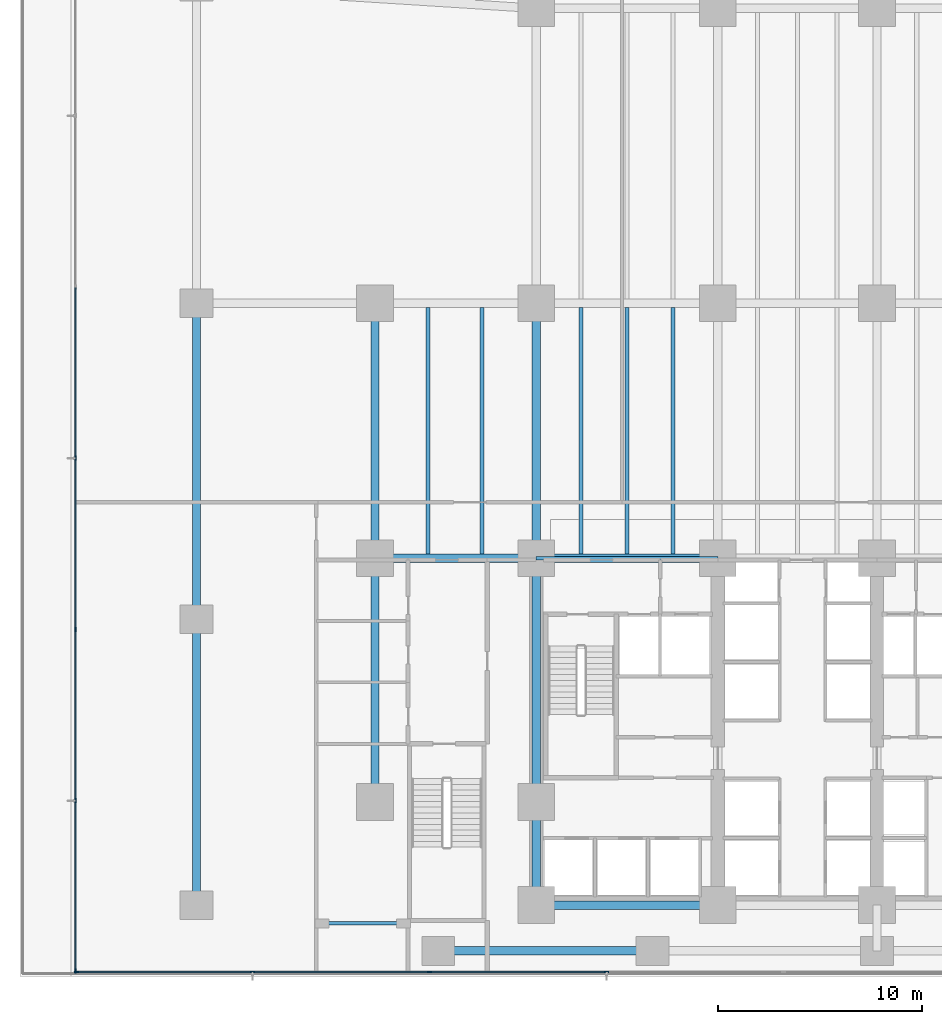
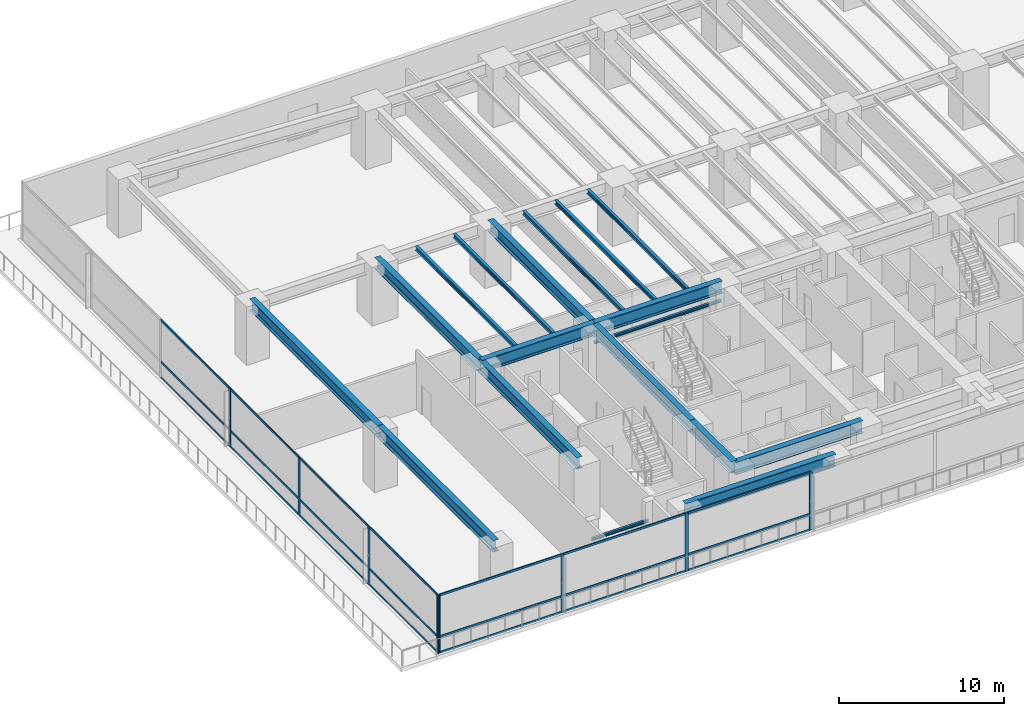
# One storey, part 2 of 27: 29 members, 18 beams, 2 elements without a shape of their own.
"""IFC4 building model written with IfcOpenShell, lengths in metres."""

import ifcopenshell
import ifcopenshell.guid

model = None  # the IFC model being written
_history = None  # IfcOwnerHistory: only IFC2X3 demands one
_inside = {}  # id of a spatial element -> (the spatial element, [elements in it])
_under = {}  # id of a project, library or spatial element -> (it, [spatial elements below it])
_declared = {}  # id of a project -> (the project, [libraries it declares])
_typed = {}  # id of a type object -> (the type object, [elements of that type])
_made_of = {}  # id of a material, layer set ... -> (it, [elements and type objects made of it])


def new_model(schema):
    """Start an empty IFC model of exactly this schema.

    Asked for "IFC4X3", IfcOpenShell would pick the latest addendum, in which some entities
    have other attributes; the version numbers below select the first issue.
    IFC2X3 requires an IfcOwnerHistory on every rooted entity: one is made here for all.
    """
    global model, _history
    if schema == "IFC4X3":
        model = ifcopenshell.file(schema_version=(4, 3, 0, 0))
    else:
        model = ifcopenshell.file(schema=schema)
    _inside.clear()
    _under.clear()
    _declared.clear()
    _typed.clear()
    _made_of.clear()
    _history = None
    if model.schema == "IFC2X3":
        org = make("IfcOrganization", Name="unknown")
        user = make(
            "IfcPersonAndOrganization",
            ThePerson=make("IfcPerson", FamilyName="unknown"),
            TheOrganization=org,
        )
        app = make(
            "IfcApplication",
            ApplicationDeveloper=org,
            Version="unknown",
            ApplicationFullName="unknown",
            ApplicationIdentifier="unknown",
        )
        _history = make(
            "IfcOwnerHistory",
            OwningUser=user,
            OwningApplication=app,
            ChangeAction="ADDED",
            CreationDate=0,
        )
    return model


def make(cls, **values):
    """One entity of the class cls with the attributes given. An attribute that is None is left unset."""
    return model.create_entity(
        cls, **{name: value for name, value in values.items() if value is not None}
    )


def rooted(cls, **values):
    """An entity with a GlobalId (a new one), such as an element, a storey or a relation."""
    return make(cls, GlobalId=ifcopenshell.guid.new(), OwnerHistory=_history, **values)


def si_unit(unit_type, name, prefix=None):
    """IfcSIUnit, for example si_unit("LENGTHUNIT", "METRE", prefix="MILLI")."""
    return make("IfcSIUnit", UnitType=unit_type, Prefix=prefix, Name=name)


def assignment(units):
    """IfcUnitAssignment: the units of a project."""
    return None if units is None else make("IfcUnitAssignment", Units=units)


def point(xyz):
    """IfcCartesianPoint."""
    return None if xyz is None else make("IfcCartesianPoint", Coordinates=xyz)


def direction(xyz):
    """IfcDirection."""
    return None if xyz is None else make("IfcDirection", DirectionRatios=xyz)


def frame(location, z_axis=None, x_axis=None):
    """IfcAxis2Placement3D, a coordinate frame: its origin and axes. An axis left out is left unset."""
    return make(
        "IfcAxis2Placement3D",
        Location=point(location),
        Axis=direction(z_axis),
        RefDirection=direction(x_axis),
    )


def frame_2d(location, x_axis=None):
    """IfcAxis2Placement2D, a coordinate frame in the plane: its origin and x axis."""
    return make(
        "IfcAxis2Placement2D", Location=point(location), RefDirection=direction(x_axis)
    )


def origin():
    """The frame at (0, 0, 0) with its axes left unset."""
    return frame((0.0, 0.0, 0.0))


def origin_2d():
    """The frame at (0, 0) in the plane with its x axis left unset."""
    return frame_2d((0.0, 0.0))


def place(relative_to, where):
    """IfcLocalPlacement: puts the frame where relative to a parent placement (None: the world)."""
    return make(
        "IfcLocalPlacement", PlacementRelTo=relative_to, RelativePlacement=where
    )


def context(
    kind, dimensions, precision=None, world=None, true_north=None, identifier=None
):
    """IfcGeometricRepresentationContext, for example the 3D "Model" context."""
    return make(
        "IfcGeometricRepresentationContext",
        ContextIdentifier=identifier,
        ContextType=kind,
        CoordinateSpaceDimension=dimensions,
        Precision=precision,
        WorldCoordinateSystem=world,
        TrueNorth=true_north,
    )


def subcontext(parent, identifier, kind, view, scale=None):
    """IfcGeometricRepresentationSubContext, for example "Body" below "Model"."""
    return make(
        "IfcGeometricRepresentationSubContext",
        ContextIdentifier=identifier,
        ContextType=kind,
        ParentContext=parent,
        TargetScale=scale,
        TargetView=view,
    )


def project(units=None, contexts=None):
    """IfcProject with its units and contexts."""
    return rooted(
        "IfcProject",
        Name="project",
        RepresentationContexts=contexts,
        UnitsInContext=assignment(units),
    )


def spatial(cls, under=None, at=None, **own):
    """A site, building, storey or space (cls), placed at a placement, below another one or the project."""
    s = rooted(cls, ObjectPlacement=at, **own)
    if under is not None:
        _under.setdefault(under.id(), (under, []))[1].append(s)
    return s


def profile(cls, at=None, kind="AREA", **sizes):
    """A parametric profile (cls). Its sizes go by their IFC names, for example OverallWidth=200.0."""
    return make(cls, ProfileType=kind, Position=at, **sizes)


def rectangle(**sizes):
    """IfcRectangleProfileDef."""
    return profile("IfcRectangleProfileDef", **sizes)


def i_section(**sizes):
    """IfcIShapeProfileDef."""
    return profile("IfcIShapeProfileDef", **sizes)


def extrude(swept, where, along, depth):
    """IfcExtrudedAreaSolid: the profile swept, set in the frame where, extruded along a direction by depth."""
    return make(
        "IfcExtrudedAreaSolid",
        SweptArea=swept,
        Position=where,
        ExtrudedDirection=direction(along),
        Depth=depth,
    )


def shape(context_of_items, identifier, shape_type, items):
    """IfcShapeRepresentation: the items that make up one representation, for example the "Body"."""
    return make(
        "IfcShapeRepresentation",
        ContextOfItems=context_of_items,
        RepresentationIdentifier=identifier,
        RepresentationType=shape_type,
        Items=items,
    )


def material(Name=None, Category=None):
    """IfcMaterial."""
    return make("IfcMaterial", Name=Name, Category=Category)


def layer(
    of_material, thickness, ventilated=None, Name=None, Category=None, Priority=None
):
    """IfcMaterialLayer: one layer of a wall or slab, of a material (None: an air gap)."""
    return make(
        "IfcMaterialLayer",
        Material=of_material,
        LayerThickness=thickness,
        IsVentilated=ventilated,
        Name=Name,
        Category=Category,
        Priority=Priority,
    )


def layer_set(layers, Name=None):
    """IfcMaterialLayerSet."""
    return make("IfcMaterialLayerSet", MaterialLayers=layers, LayerSetName=Name)


def material_profile(
    of_material, cross_section, Name=None, Category=None, Priority=None
):
    """IfcMaterialProfile: a cross section and its material."""
    return make(
        "IfcMaterialProfile",
        Name=Name,
        Material=of_material,
        Profile=cross_section,
        Priority=Priority,
        Category=Category,
    )


def profile_set(profiles, Name=None, composite=None):
    """IfcMaterialProfileSet."""
    return make(
        "IfcMaterialProfileSet",
        Name=Name,
        MaterialProfiles=profiles,
        CompositeProfile=composite,
    )


def made_of(thing, what):
    """Note that an element or type object is made of a material, layer set ...; save() writes the relation."""
    if what is not None:
        _made_of.setdefault(what.id(), (what, []))[1].append(thing)
    return thing


def type_object(cls, material=None, **own):
    """A type object (cls), such as IfcWallType, which elements share."""
    return made_of(rooted(cls, **own), material)


def element(
    cls,
    number,
    at=None,
    inside=None,
    cuts=None,
    type_object=None,
    material=None,
    context=None,
    identifier="Body",
    shape_type=None,
    held_by="IfcProductDefinitionShape",
    body=None,
    shapes=None,
    **own,
):
    """One element of the class cls, such as IfcWall. Its Tag is "e" and its number.

    at: its placement. inside: the storey or other place that contains it. cuts: it is an
    opening in that element (IfcRelVoidsElement). A single representation is given by context,
    identifier, shape_type and body (its items); several are given by shapes. held_by: the class
    of the entity that holds the representations. save() writes the other relations.
    """
    e = rooted(cls, Tag="e%d" % number, ObjectPlacement=at, **own)
    if body is not None:
        shapes = [shape(context, identifier, shape_type, body)]
    if shapes is not None:
        e.Representation = make(held_by, Representations=shapes)
    if inside is not None:
        _inside.setdefault(inside.id(), (inside, []))[1].append(e)
    if cuts is not None:
        rooted(
            "IfcRelVoidsElement", RelatingBuildingElement=cuts, RelatedOpeningElement=e
        )
    if type_object is not None:
        _typed.setdefault(type_object.id(), (type_object, []))[1].append(e)
    return made_of(e, material)


def aggregate(whole, parts):
    """IfcRelAggregates: a whole, such as a stair, and the parts it consists of."""
    return rooted("IfcRelAggregates", RelatingObject=whole, RelatedObjects=parts)


def save(model, path):
    """Write the relations noted so far, then the file.

    IfcRelAggregates (storeys below a building ...), IfcRelContainedInSpatialStructure (elements
    in a storey), IfcRelDefinesByType, IfcRelAssociatesMaterial and IfcRelDeclares: one each for
    every whole, place, type object, material and project.
    """
    for whole, parts in _under.values():
        aggregate(whole, parts)
    for where, things in _inside.values():
        rooted(
            "IfcRelContainedInSpatialStructure",
            RelatedElements=things,
            RelatingStructure=where,
        )
    for kind, things in _typed.values():
        rooted("IfcRelDefinesByType", RelatedObjects=things, RelatingType=kind)
    for what, things in _made_of.values():
        rooted("IfcRelAssociatesMaterial", RelatedObjects=things, RelatingMaterial=what)
    for by, libraries in _declared.values():
        rooted("IfcRelDeclares", RelatingContext=by, RelatedDefinitions=libraries)
    model.write(path)


model = new_model("IFC4")

# Units and contexts
model_context = context("Model", 3, precision=1e-05, world=origin(), true_north=direction((0.0, 1.0)))
body_context = subcontext(model_context, "Body", "Model", "MODEL_VIEW")
ifc_project = project(units=[si_unit("LENGTHUNIT", "METRE"), si_unit("AREAUNIT", "SQUARE_METRE"), si_unit("VOLUMEUNIT", "CUBIC_METRE"), si_unit("PLANEANGLEUNIT", "RADIAN"), si_unit("MASSUNIT", "GRAM", prefix="KILO")], contexts=[model_context])

# Site, building, storey
site_placement = place(None, origin())
site = spatial("IfcSite", under=ifc_project, at=site_placement, CompositionType="ELEMENT")
building_placement = place(site_placement, origin())
building = spatial("IfcBuilding", under=site, at=building_placement, Name="Qalmaran Belvedere Hotel", CompositionType="ELEMENT")
storey_placement = place(building_placement, frame((0.0, 0.0, 5.39990234375)))
storey = spatial("IfcBuildingStorey", under=building, at=storey_placement, Name="L01", CompositionType="ELEMENT", Elevation=5.39990234375)

# Beams
ifc_material_1 = material(Name="Steel S355JR", Category="steel")
ifc_material_profile_1 = material_profile(ifc_material_1, i_section(OverallWidth=0.202880859375, OverallDepth=0.302978515625, WebThickness=0.007568359375, FlangeThickness=0.01318359375, FilletRadius=0.012939453125, at=origin_2d()), Name="W310X60")
ifc_profile_set_1 = profile_set([ifc_material_profile_1], Name="Steel S355JR")
beam_type_1 = type_object("IfcBeamType", Name="BM-JST-W310X60", PredefinedType="JOIST", material=ifc_profile_set_1)
for number, where, z_axis, x_axis, name in (
    (1, (15.0, 20.70703125, 4.148681640625), (0.0, 1.0, 0.0), (-1.0, 0.0, 0.0), "L01 Podium South-Ballroom Joist 058"),
    (2, (17.64990234375, 20.70703125, 4.148681640625), (0.0, 1.0, 0.0), (-1.0, 0.0, 0.0), "L01 Podium South-Ballroom Joist 059"),
    (3, (22.5, 20.70703125, 4.148681640625), (0.0, 1.0, 0.0), (-1.0, 0.0, 0.0), "L01 Podium South-Ballroom Joist 060"),
    (4, (24.75, 20.70703125, 4.148681640625), (0.0, 1.0, 0.0), (-1.0, 0.0, 0.0), "L01 Podium South-Ballroom Joist 062"),
    (5, (27.0, 20.70703125, 4.148681640625), (0.0, 1.0, 0.0), (-1.0, 0.0, 0.0), "L01 Podium South-Ballroom Joist 064"),
):
    element("IfcBeam", number, at=place(storey_placement, frame(where, z_axis=z_axis, x_axis=x_axis)), inside=storey, type_object=beam_type_1, Name=name, PredefinedType="JOIST", context=body_context, shape_type="SweptSolid", body=[
        extrude(i_section(OverallWidth=0.202880859375, OverallDepth=0.302978515625, WebThickness=0.007568359375, FlangeThickness=0.01318359375, FilletRadius=0.012939453125, at=origin_2d()), origin(), (0.0, 0.0, 1.0), 12.0859375),
    ])
ifc_material_profile_2 = material_profile(ifc_material_1, i_section(OverallWidth=0.1650390625, OverallDepth=0.200927734375, WebThickness=0.006103515625, FlangeThickness=0.01025390625, FilletRadius=0.010009765625, at=origin_2d()), Name="W200X36")
ifc_profile_set_2 = profile_set([ifc_material_profile_2], Name="Steel S355JR")
beam_type_2 = type_object("IfcBeamType", Name="BM-LIN-W200X36", PredefinedType="LINTEL", material=ifc_profile_set_2)
beam_1_placement = place(storey_placement, frame((9.800048828125, 2.60009765625, 2.75), z_axis=(1.0, 0.0, 0.0), x_axis=(0.0, 1.0, 0.0)))
element("IfcBeam", 6, at=beam_1_placement, inside=storey, type_object=beam_type_2, Name="L01 Colonnade Opening Lintel 04", PredefinedType="LINTEL", context=body_context, shape_type="SweptSolid", body=[
    extrude(i_section(OverallWidth=0.1650390625, OverallDepth=0.200927734375, WebThickness=0.006103515625, FlangeThickness=0.01025390625, FilletRadius=0.010009765625, at=origin_2d()), origin(), (0.0, 0.0, 1.0), 4.0),
])
beam_2_placement = place(storey_placement, frame((20.300048828125, 20.5, 2.75), z_axis=(1.0, 0.0, 0.0), x_axis=(0.0, 1.0, 0.0)))
element("IfcBeam", 7, at=beam_2_placement, inside=storey, type_object=beam_type_2, Name="L01 Colonnade Opening Lintel 06", PredefinedType="LINTEL", context=body_context, shape_type="SweptSolid", body=[
    extrude(i_section(OverallWidth=0.1650390625, OverallDepth=0.200927734375, WebThickness=0.006103515625, FlangeThickness=0.01025390625, FilletRadius=0.010009765625, at=origin_2d()), origin(), (0.0, 0.0, 1.0), 8.89990234375),
])
ifc_material_profile_3 = material_profile(ifc_material_1, i_section(OverallWidth=0.41796875, OverallDepth=0.912109375, WebThickness=0.019287109375, FlangeThickness=0.031982421875, FilletRadius=0.02392578125, at=origin_2d()), Name="W920X342")
ifc_profile_set_3 = profile_set([ifc_material_profile_3], Name="Steel S355JR")
beam_type_3 = type_object("IfcBeamType", Name="BM-PG2-W920X342", PredefinedType="USERDEFINED", material=ifc_profile_set_3)
beam_3_placement = place(storey_placement, frame((15.5, 1.25, 3.843994140625), z_axis=(1.0, 0.0, 0.0), x_axis=(0.0, 1.0, 0.0)))
element("IfcBeam", 8, at=beam_3_placement, inside=storey, type_object=beam_type_3, Name="L01 Podium Primary Girder GX01", ObjectType="GIRDER", PredefinedType="USERDEFINED", context=body_context, shape_type="SweptSolid", body=[
    extrude(i_section(OverallWidth=0.41796875, OverallDepth=0.912109375, WebThickness=0.019287109375, FlangeThickness=0.031982421875, FilletRadius=0.02392578125, at=origin_2d()), origin(), (0.0, 0.0, 1.0), 10.5),
])
beam_4_placement = place(storey_placement, frame((20.300048828125, 3.5, 3.843994140625), z_axis=(1.0, 0.0, 0.0), x_axis=(0.0, 1.0, 0.0)))
element("IfcBeam", 9, at=beam_4_placement, inside=storey, type_object=beam_type_3, Name="L01 Podium Primary Girder GX06", ObjectType="GIRDER", PredefinedType="USERDEFINED", context=body_context, shape_type="SweptSolid", body=[
    extrude(i_section(OverallWidth=0.41796875, OverallDepth=0.912109375, WebThickness=0.019287109375, FlangeThickness=0.031982421875, FilletRadius=0.02392578125, at=origin_2d()), origin(), (0.0, 0.0, 1.0), 8.89990234375),
])
beam_5_placement = place(storey_placement, frame((12.39990234375, 20.5, 3.843994140625), z_axis=(1.0, 0.0, 0.0), x_axis=(0.0, 1.0, 0.0)))
element("IfcBeam", 10, at=beam_5_placement, inside=storey, type_object=beam_type_3, Name="L01 Podium Primary Girder GX13", ObjectType="GIRDER", PredefinedType="USERDEFINED", context=body_context, shape_type="SweptSolid", body=[
    extrude(i_section(OverallWidth=0.41796875, OverallDepth=0.912109375, WebThickness=0.019287109375, FlangeThickness=0.031982421875, FilletRadius=0.02392578125, at=origin_2d()), origin(), (0.0, 0.0, 1.0), 7.900146484375),
])
beam_6_placement = place(storey_placement, frame((20.300048828125, 20.5, 3.843994140625), z_axis=(1.0, 0.0, 0.0), x_axis=(0.0, 1.0, 0.0)))
element("IfcBeam", 11, at=beam_6_placement, inside=storey, type_object=beam_type_3, Name="L01 Podium Primary Girder GX14", ObjectType="GIRDER", PredefinedType="USERDEFINED", context=body_context, shape_type="SweptSolid", body=[
    extrude(i_section(OverallWidth=0.41796875, OverallDepth=0.912109375, WebThickness=0.019287109375, FlangeThickness=0.031982421875, FilletRadius=0.02392578125, at=origin_2d()), origin(), (0.0, 0.0, 1.0), 8.89990234375),
])
ifc_material_profile_4 = material_profile(ifc_material_1, i_section(OverallWidth=0.39990234375, OverallDepth=0.85498046875, WebThickness=0.018310546875, FlangeThickness=0.029296875, FilletRadius=0.02392578125, at=origin_2d()), Name="W840X299")
ifc_profile_set_4 = profile_set([ifc_material_profile_4], Name="Steel S355JR")
beam_type_4 = type_object("IfcBeamType", Name="BM-PG3-W840X299", PredefinedType="USERDEFINED", material=ifc_profile_set_4)
beam_7_placement = place(storey_placement, frame((3.64990234375, 3.5, 3.87255859375), z_axis=(0.0, 1.0, 0.0), x_axis=(-1.0, 0.0, 0.0)))
element("IfcBeam", 12, at=beam_7_placement, inside=storey, type_object=beam_type_4, Name="L01 Podium Transverse Girder GY32", ObjectType="GIRDER", PredefinedType="USERDEFINED", context=body_context, shape_type="SweptSolid", body=[
    extrude(i_section(OverallWidth=0.39990234375, OverallDepth=0.85498046875, WebThickness=0.018310546875, FlangeThickness=0.029296875, FilletRadius=0.02392578125, at=origin_2d()), origin(), (0.0, 0.0, 1.0), 14.0),
])
beam_8_placement = place(storey_placement, frame((3.64990234375, 17.5, 3.87255859375), z_axis=(0.0, 1.0, 0.0), x_axis=(-1.0, 0.0, 0.0)))
element("IfcBeam", 13, at=beam_8_placement, inside=storey, type_object=beam_type_4, Name="L01 Podium Transverse Girder GY33", ObjectType="GIRDER", PredefinedType="USERDEFINED", context=body_context, shape_type="SweptSolid", body=[
    extrude(i_section(OverallWidth=0.39990234375, OverallDepth=0.85498046875, WebThickness=0.018310546875, FlangeThickness=0.029296875, FilletRadius=0.02392578125, at=origin_2d()), origin(), (0.0, 0.0, 1.0), 15.5),
])
beam_9_placement = place(storey_placement, frame((12.39990234375, 8.550048828125, 3.87255859375), z_axis=(0.0, 1.0, 0.0), x_axis=(-1.0, 0.0, 0.0)))
element("IfcBeam", 14, at=beam_9_placement, inside=storey, type_object=beam_type_4, Name="L01 Podium Transverse Girder GY35", ObjectType="GIRDER", PredefinedType="USERDEFINED", context=body_context, shape_type="SweptSolid", body=[
    extrude(i_section(OverallWidth=0.39990234375, OverallDepth=0.85498046875, WebThickness=0.018310546875, FlangeThickness=0.029296875, FilletRadius=0.02392578125, at=origin_2d()), origin(), (0.0, 0.0, 1.0), 11.949951171875),
])
beam_10_placement = place(storey_placement, frame((12.39990234375, 20.5, 3.87255859375), z_axis=(0.0, 1.0, 0.0), x_axis=(-1.0, 0.0, 0.0)))
element("IfcBeam", 15, at=beam_10_placement, inside=storey, type_object=beam_type_4, Name="L01 Podium Transverse Girder GY36", ObjectType="GIRDER", PredefinedType="USERDEFINED", context=body_context, shape_type="SweptSolid", body=[
    extrude(i_section(OverallWidth=0.39990234375, OverallDepth=0.85498046875, WebThickness=0.018310546875, FlangeThickness=0.029296875, FilletRadius=0.02392578125, at=origin_2d()), origin(), (0.0, 0.0, 1.0), 12.5),
])
beam_11_placement = place(storey_placement, frame((20.300048828125, 3.5, 3.87255859375), z_axis=(0.0, 1.0, 0.0), x_axis=(-1.0, 0.0, 0.0)))
element("IfcBeam", 16, at=beam_11_placement, inside=storey, type_object=beam_type_4, Name="L01 Podium Transverse Girder GY37", ObjectType="GIRDER", PredefinedType="USERDEFINED", context=body_context, shape_type="SweptSolid", body=[
    extrude(i_section(OverallWidth=0.39990234375, OverallDepth=0.85498046875, WebThickness=0.018310546875, FlangeThickness=0.029296875, FilletRadius=0.02392578125, at=origin_2d()), origin(), (0.0, 0.0, 1.0), 5.050048828125),
])
beam_12_placement = place(storey_placement, frame((20.300048828125, 8.550048828125, 3.87255859375), z_axis=(0.0, 1.0, 0.0), x_axis=(-1.0, 0.0, 0.0)))
element("IfcBeam", 17, at=beam_12_placement, inside=storey, type_object=beam_type_4, Name="L01 Podium Transverse Girder GY38", ObjectType="GIRDER", PredefinedType="USERDEFINED", context=body_context, shape_type="SweptSolid", body=[
    extrude(i_section(OverallWidth=0.39990234375, OverallDepth=0.85498046875, WebThickness=0.018310546875, FlangeThickness=0.029296875, FilletRadius=0.02392578125, at=origin_2d()), origin(), (0.0, 0.0, 1.0), 11.949951171875),
])
beam_13_placement = place(storey_placement, frame((20.300048828125, 20.5, 3.87255859375), z_axis=(0.0, 1.0, 0.0), x_axis=(-1.0, 0.0, 0.0)))
element("IfcBeam", 18, at=beam_13_placement, inside=storey, type_object=beam_type_4, Name="L01 Podium Transverse Girder GY39", ObjectType="GIRDER", PredefinedType="USERDEFINED", context=body_context, shape_type="SweptSolid", body=[
    extrude(i_section(OverallWidth=0.39990234375, OverallDepth=0.85498046875, WebThickness=0.018310546875, FlangeThickness=0.029296875, FilletRadius=0.02392578125, at=origin_2d()), origin(), (0.0, 0.0, 1.0), 12.5),
])

# Curtain wall, members
ifc_material_2 = material(Name="Anodised Bronze Aluminium", Category="aluminium")
ifc_layer = layer(ifc_material_2, 0.219970703125, Name="Anodised Bronze Aluminium")
ifc_layer_set = layer_set([ifc_layer], Name="Anodised Bronze Aluminium")
curtain_wall_type = type_object("IfcCurtainWallType", Name="CW1-PODIUM-BRONZE", PredefinedType="NOTDEFINED", material=ifc_layer_set)
curtain_wall_1_placement = place(storey_placement, origin())
curtain_wall_1 = element("IfcCurtainWall", 19, at=curtain_wall_1_placement, inside=storey, type_object=curtain_wall_type, Name="L01 Curtain Wall CW1", PredefinedType="NOTDEFINED")
ifc_material_profile_5 = material_profile(ifc_material_2, rectangle(XDim=0.074951171875, YDim=0.219970703125, at=origin_2d()), Name="CWM75X220")
ifc_profile_set_5 = profile_set([ifc_material_profile_5], Name="Anodised Bronze Aluminium")
member_type_1 = type_object("IfcMemberType", Name="CWM-75X220", PredefinedType="MULLION", material=ifc_profile_set_5)
member_1_placement = place(storey_placement, frame((-2.242431640625, 0.219970703125, 0.0), z_axis=(0.0, 0.0, 1.0), x_axis=(0.0, 1.0, 0.0)))
member_1 = element("IfcMember", 20, at=member_1_placement, type_object=member_type_1, Name="CW1 mullion 1", PredefinedType="MULLION", context=body_context, shape_type="SweptSolid", body=[
    extrude(rectangle(XDim=0.074951171875, YDim=0.219970703125, at=origin_2d()), origin(), (0.0, 0.0, 1.0), 4.300048828125),
])
member_2_placement = place(storey_placement, frame((6.393310546875, 0.219970703125, 0.0), z_axis=(0.0, 0.0, 1.0), x_axis=(0.0, 1.0, 0.0)))
member_2 = element("IfcMember", 21, at=member_2_placement, type_object=member_type_1, Name="CW1 mullion 2", PredefinedType="MULLION", context=body_context, shape_type="SweptSolid", body=[
    extrude(rectangle(XDim=0.074951171875, YDim=0.219970703125, at=origin_2d()), origin(), (0.0, 0.0, 1.0), 4.300048828125),
])
member_3_placement = place(storey_placement, frame((15.066650390625, 0.219970703125, 0.0), z_axis=(0.0, 0.0, 1.0), x_axis=(0.0, 1.0, 0.0)))
member_3 = element("IfcMember", 22, at=member_3_placement, type_object=member_type_1, Name="CW1 mullion 3", PredefinedType="MULLION", context=body_context, shape_type="SweptSolid", body=[
    extrude(rectangle(XDim=0.074951171875, YDim=0.219970703125, at=origin_2d()), origin(), (0.0, 0.0, 1.0), 4.300048828125),
])
member_4_placement = place(storey_placement, frame((23.739990234375, 0.219970703125, 0.0), z_axis=(0.0, 0.0, 1.0), x_axis=(0.0, 1.0, 0.0)))
member_4 = element("IfcMember", 23, at=member_4_placement, type_object=member_type_1, Name="CW1 mullion 4", PredefinedType="MULLION", context=body_context, shape_type="SweptSolid", body=[
    extrude(rectangle(XDim=0.074951171875, YDim=0.219970703125, at=origin_2d()), origin(), (0.0, 0.0, 1.0), 4.300048828125),
])

curtain_wall_2_placement = place(storey_placement, origin())
curtain_wall_2 = element("IfcCurtainWall", 24, at=curtain_wall_2_placement, inside=storey, type_object=curtain_wall_type, Name="L01 Curtain Wall CW1", PredefinedType="NOTDEFINED")
member_5_placement = place(storey_placement, frame((-2.280029296875, 25.39990234375, 0.0), z_axis=(0.0, 0.0, 1.0), x_axis=(1.0, 0.0, 0.0)))
member_5 = element("IfcMember", 25, at=member_5_placement, type_object=member_type_1, Name="CW1 mullion 4", PredefinedType="MULLION", context=body_context, shape_type="SweptSolid", body=[
    extrude(rectangle(XDim=0.074951171875, YDim=0.219970703125, at=origin_2d()), origin(), (0.0, 0.0, 1.0), 4.300048828125),
])
member_6_placement = place(storey_placement, frame((-2.280029296875, 17.006591796875, 0.0), z_axis=(0.0, 0.0, 1.0), x_axis=(1.0, 0.0, 0.0)))
member_6 = element("IfcMember", 26, at=member_6_placement, type_object=member_type_1, Name="CW1 mullion 5", PredefinedType="MULLION", context=body_context, shape_type="SweptSolid", body=[
    extrude(rectangle(XDim=0.074951171875, YDim=0.219970703125, at=origin_2d()), origin(), (0.0, 0.0, 1.0), 4.300048828125),
])
member_7_placement = place(storey_placement, frame((-2.280029296875, 8.61328125, 0.0), z_axis=(0.0, 0.0, 1.0), x_axis=(1.0, 0.0, 0.0)))
member_7 = element("IfcMember", 27, at=member_7_placement, type_object=member_type_1, Name="CW1 mullion 6", PredefinedType="MULLION", context=body_context, shape_type="SweptSolid", body=[
    extrude(rectangle(XDim=0.074951171875, YDim=0.219970703125, at=origin_2d()), origin(), (0.0, 0.0, 1.0), 4.300048828125),
])
member_8_placement = place(storey_placement, frame((-2.280029296875, 0.257568359375, 0.0), z_axis=(0.0, 0.0, 1.0), x_axis=(1.0, 0.0, 0.0)))
member_8 = element("IfcMember", 28, at=member_8_placement, type_object=member_type_1, Name="CW1 mullion 7", PredefinedType="MULLION", context=body_context, shape_type="SweptSolid", body=[
    extrude(rectangle(XDim=0.074951171875, YDim=0.219970703125, at=origin_2d()), origin(), (0.0, 0.0, 1.0), 4.300048828125),
])

# Member
ifc_material_profile_6 = material_profile(ifc_material_2, rectangle(XDim=0.070068359375, YDim=0.14990234375, at=origin_2d()), Name="CWT70X150")
ifc_profile_set_6 = profile_set([ifc_material_profile_6], Name="Anodised Bronze Aluminium")
member_type_2 = type_object("IfcMemberType", Name="CWT-70X150", PredefinedType="USERDEFINED", material=ifc_profile_set_6)
member_9_placement = place(storey_placement, frame((-2.205078125, 0.219970703125, 0.03515625), z_axis=(1.0, 0.0, 0.0), x_axis=(0.0, 1.0, 0.0)))
member_9 = element("IfcMember", 29, at=member_9_placement, type_object=member_type_2, Name="CW1 transom 1.1", ObjectType="TRANSOM", PredefinedType="USERDEFINED", context=body_context, shape_type="SweptSolid", body=[
    extrude(rectangle(XDim=0.070068359375, YDim=0.14990234375, at=origin_2d()), origin(), (0.0, 0.0, 1.0), 8.560791015625),
])

member_10_placement = place(storey_placement, frame((-2.205078125, 0.219970703125, 1.2041015625), z_axis=(1.0, 0.0, 0.0), x_axis=(0.0, 1.0, 0.0)))
member_10 = element("IfcMember", 30, at=member_10_placement, type_object=member_type_2, Name="CW1 transom 1.2", ObjectType="TRANSOM", PredefinedType="USERDEFINED", context=body_context, shape_type="SweptSolid", body=[
    extrude(rectangle(XDim=0.070068359375, YDim=0.14990234375, at=origin_2d()), origin(), (0.0, 0.0, 1.0), 8.560791015625),
])

member_11_placement = place(storey_placement, frame((-2.205078125, 0.219970703125, 4.26513671875), z_axis=(1.0, 0.0, 0.0), x_axis=(0.0, 1.0, 0.0)))
member_11 = element("IfcMember", 31, at=member_11_placement, type_object=member_type_2, Name="CW1 transom 1.3", ObjectType="TRANSOM", PredefinedType="USERDEFINED", context=body_context, shape_type="SweptSolid", body=[
    extrude(rectangle(XDim=0.070068359375, YDim=0.14990234375, at=origin_2d()), origin(), (0.0, 0.0, 1.0), 8.560791015625),
])

member_12_placement = place(storey_placement, frame((6.430908203125, 0.219970703125, 0.03515625), z_axis=(1.0, 0.0, 0.0), x_axis=(0.0, 1.0, 0.0)))
member_12 = element("IfcMember", 32, at=member_12_placement, type_object=member_type_2, Name="CW1 transom 2.1", ObjectType="TRANSOM", PredefinedType="USERDEFINED", context=body_context, shape_type="SweptSolid", body=[
    extrude(rectangle(XDim=0.070068359375, YDim=0.14990234375, at=origin_2d()), origin(), (0.0, 0.0, 1.0), 8.59814453125),
])

member_13_placement = place(storey_placement, frame((6.430908203125, 0.219970703125, 1.2041015625), z_axis=(1.0, 0.0, 0.0), x_axis=(0.0, 1.0, 0.0)))
member_13 = element("IfcMember", 33, at=member_13_placement, type_object=member_type_2, Name="CW1 transom 2.2", ObjectType="TRANSOM", PredefinedType="USERDEFINED", context=body_context, shape_type="SweptSolid", body=[
    extrude(rectangle(XDim=0.070068359375, YDim=0.14990234375, at=origin_2d()), origin(), (0.0, 0.0, 1.0), 8.59814453125),
])

member_14_placement = place(storey_placement, frame((6.430908203125, 0.219970703125, 4.26513671875), z_axis=(1.0, 0.0, 0.0), x_axis=(0.0, 1.0, 0.0)))
member_14 = element("IfcMember", 34, at=member_14_placement, type_object=member_type_2, Name="CW1 transom 2.3", ObjectType="TRANSOM", PredefinedType="USERDEFINED", context=body_context, shape_type="SweptSolid", body=[
    extrude(rectangle(XDim=0.070068359375, YDim=0.14990234375, at=origin_2d()), origin(), (0.0, 0.0, 1.0), 8.59814453125),
])

member_15_placement = place(storey_placement, frame((15.104248046875, 0.219970703125, 0.03515625), z_axis=(1.0, 0.0, 0.0), x_axis=(0.0, 1.0, 0.0)))
member_15 = element("IfcMember", 35, at=member_15_placement, type_object=member_type_2, Name="CW1 transom 3.1", ObjectType="TRANSOM", PredefinedType="USERDEFINED", context=body_context, shape_type="SweptSolid", body=[
    extrude(rectangle(XDim=0.070068359375, YDim=0.14990234375, at=origin_2d()), origin(), (0.0, 0.0, 1.0), 8.59814453125),
])

member_16_placement = place(storey_placement, frame((15.104248046875, 0.219970703125, 1.2041015625), z_axis=(1.0, 0.0, 0.0), x_axis=(0.0, 1.0, 0.0)))
member_16 = element("IfcMember", 36, at=member_16_placement, type_object=member_type_2, Name="CW1 transom 3.2", ObjectType="TRANSOM", PredefinedType="USERDEFINED", context=body_context, shape_type="SweptSolid", body=[
    extrude(rectangle(XDim=0.070068359375, YDim=0.14990234375, at=origin_2d()), origin(), (0.0, 0.0, 1.0), 8.59814453125),
])

member_17_placement = place(storey_placement, frame((15.104248046875, 0.219970703125, 4.26513671875), z_axis=(1.0, 0.0, 0.0), x_axis=(0.0, 1.0, 0.0)))
member_17 = element("IfcMember", 37, at=member_17_placement, type_object=member_type_2, Name="CW1 transom 3.3", ObjectType="TRANSOM", PredefinedType="USERDEFINED", context=body_context, shape_type="SweptSolid", body=[
    extrude(rectangle(XDim=0.070068359375, YDim=0.14990234375, at=origin_2d()), origin(), (0.0, 0.0, 1.0), 8.59814453125),
])

aggregate(curtain_wall_1, [member_1, member_2, member_3, member_4, member_9, member_10, member_11, member_12, member_13, member_14, member_15, member_16, member_17])

member_18_placement = place(storey_placement, frame((-2.280029296875, 33.755859375, 0.03515625), z_axis=(0.0, -1.0, 0.0), x_axis=(1.0, 0.0, 0.0)))
member_18 = element("IfcMember", 38, at=member_18_placement, type_object=member_type_2, Name="CW1 transom 3.1", ObjectType="TRANSOM", PredefinedType="USERDEFINED", context=body_context, shape_type="SweptSolid", body=[
    extrude(rectangle(XDim=0.070068359375, YDim=0.14990234375, at=origin_2d()), origin(), (0.0, 0.0, 1.0), 8.318359375),
])

member_19_placement = place(storey_placement, frame((-2.280029296875, 33.755859375, 1.2041015625), z_axis=(0.0, -1.0, 0.0), x_axis=(1.0, 0.0, 0.0)))
member_19 = element("IfcMember", 39, at=member_19_placement, type_object=member_type_2, Name="CW1 transom 3.2", ObjectType="TRANSOM", PredefinedType="USERDEFINED", context=body_context, shape_type="SweptSolid", body=[
    extrude(rectangle(XDim=0.070068359375, YDim=0.14990234375, at=origin_2d()), origin(), (0.0, 0.0, 1.0), 8.318359375),
])

member_20_placement = place(storey_placement, frame((-2.280029296875, 33.755859375, 4.26513671875), z_axis=(0.0, -1.0, 0.0), x_axis=(1.0, 0.0, 0.0)))
member_20 = element("IfcMember", 40, at=member_20_placement, type_object=member_type_2, Name="CW1 transom 3.3", ObjectType="TRANSOM", PredefinedType="USERDEFINED", context=body_context, shape_type="SweptSolid", body=[
    extrude(rectangle(XDim=0.070068359375, YDim=0.14990234375, at=origin_2d()), origin(), (0.0, 0.0, 1.0), 8.318359375),
])

member_21_placement = place(storey_placement, frame((-2.280029296875, 25.362548828125, 0.03515625), z_axis=(0.0, -1.0, 0.0), x_axis=(1.0, 0.0, 0.0)))
member_21 = element("IfcMember", 41, at=member_21_placement, type_object=member_type_2, Name="CW1 transom 4.1", ObjectType="TRANSOM", PredefinedType="USERDEFINED", context=body_context, shape_type="SweptSolid", body=[
    extrude(rectangle(XDim=0.070068359375, YDim=0.14990234375, at=origin_2d()), origin(), (0.0, 0.0, 1.0), 8.318359375),
])

member_22_placement = place(storey_placement, frame((-2.280029296875, 25.362548828125, 1.2041015625), z_axis=(0.0, -1.0, 0.0), x_axis=(1.0, 0.0, 0.0)))
member_22 = element("IfcMember", 42, at=member_22_placement, type_object=member_type_2, Name="CW1 transom 4.2", ObjectType="TRANSOM", PredefinedType="USERDEFINED", context=body_context, shape_type="SweptSolid", body=[
    extrude(rectangle(XDim=0.070068359375, YDim=0.14990234375, at=origin_2d()), origin(), (0.0, 0.0, 1.0), 8.318359375),
])

member_23_placement = place(storey_placement, frame((-2.280029296875, 25.362548828125, 4.26513671875), z_axis=(0.0, -1.0, 0.0), x_axis=(1.0, 0.0, 0.0)))
member_23 = element("IfcMember", 43, at=member_23_placement, type_object=member_type_2, Name="CW1 transom 4.3", ObjectType="TRANSOM", PredefinedType="USERDEFINED", context=body_context, shape_type="SweptSolid", body=[
    extrude(rectangle(XDim=0.070068359375, YDim=0.14990234375, at=origin_2d()), origin(), (0.0, 0.0, 1.0), 8.318359375),
])

member_24_placement = place(storey_placement, frame((-2.280029296875, 16.96923828125, 0.03515625), z_axis=(0.0, -1.0, 0.0), x_axis=(1.0, 0.0, 0.0)))
member_24 = element("IfcMember", 44, at=member_24_placement, type_object=member_type_2, Name="CW1 transom 5.1", ObjectType="TRANSOM", PredefinedType="USERDEFINED", context=body_context, shape_type="SweptSolid", body=[
    extrude(rectangle(XDim=0.070068359375, YDim=0.14990234375, at=origin_2d()), origin(), (0.0, 0.0, 1.0), 8.318359375),
])

member_25_placement = place(storey_placement, frame((-2.280029296875, 16.96923828125, 1.2041015625), z_axis=(0.0, -1.0, 0.0), x_axis=(1.0, 0.0, 0.0)))
member_25 = element("IfcMember", 45, at=member_25_placement, type_object=member_type_2, Name="CW1 transom 5.2", ObjectType="TRANSOM", PredefinedType="USERDEFINED", context=body_context, shape_type="SweptSolid", body=[
    extrude(rectangle(XDim=0.070068359375, YDim=0.14990234375, at=origin_2d()), origin(), (0.0, 0.0, 1.0), 8.318359375),
])

member_26_placement = place(storey_placement, frame((-2.280029296875, 16.96923828125, 4.26513671875), z_axis=(0.0, -1.0, 0.0), x_axis=(1.0, 0.0, 0.0)))
member_26 = element("IfcMember", 46, at=member_26_placement, type_object=member_type_2, Name="CW1 transom 5.3", ObjectType="TRANSOM", PredefinedType="USERDEFINED", context=body_context, shape_type="SweptSolid", body=[
    extrude(rectangle(XDim=0.070068359375, YDim=0.14990234375, at=origin_2d()), origin(), (0.0, 0.0, 1.0), 8.318359375),
])

member_27_placement = place(storey_placement, frame((-2.280029296875, 8.575927734375, 0.03515625), z_axis=(0.0, -1.0, 0.0), x_axis=(1.0, 0.0, 0.0)))
member_27 = element("IfcMember", 47, at=member_27_placement, type_object=member_type_2, Name="CW1 transom 6.1", ObjectType="TRANSOM", PredefinedType="USERDEFINED", context=body_context, shape_type="SweptSolid", body=[
    extrude(rectangle(XDim=0.070068359375, YDim=0.14990234375, at=origin_2d()), origin(), (0.0, 0.0, 1.0), 8.281005859375),
])

member_28_placement = place(storey_placement, frame((-2.280029296875, 8.575927734375, 1.2041015625), z_axis=(0.0, -1.0, 0.0), x_axis=(1.0, 0.0, 0.0)))
member_28 = element("IfcMember", 48, at=member_28_placement, type_object=member_type_2, Name="CW1 transom 6.2", ObjectType="TRANSOM", PredefinedType="USERDEFINED", context=body_context, shape_type="SweptSolid", body=[
    extrude(rectangle(XDim=0.070068359375, YDim=0.14990234375, at=origin_2d()), origin(), (0.0, 0.0, 1.0), 8.281005859375),
])

member_29_placement = place(storey_placement, frame((-2.280029296875, 8.575927734375, 4.26513671875), z_axis=(0.0, -1.0, 0.0), x_axis=(1.0, 0.0, 0.0)))
member_29 = element("IfcMember", 49, at=member_29_placement, type_object=member_type_2, Name="CW1 transom 6.3", ObjectType="TRANSOM", PredefinedType="USERDEFINED", context=body_context, shape_type="SweptSolid", body=[
    extrude(rectangle(XDim=0.070068359375, YDim=0.14990234375, at=origin_2d()), origin(), (0.0, 0.0, 1.0), 8.281005859375),
])

aggregate(curtain_wall_2, [member_5, member_6, member_7, member_8, member_18, member_19, member_20, member_21, member_22, member_23, member_24, member_25, member_26, member_27, member_28, member_29])

save(model, "model.ifc")
